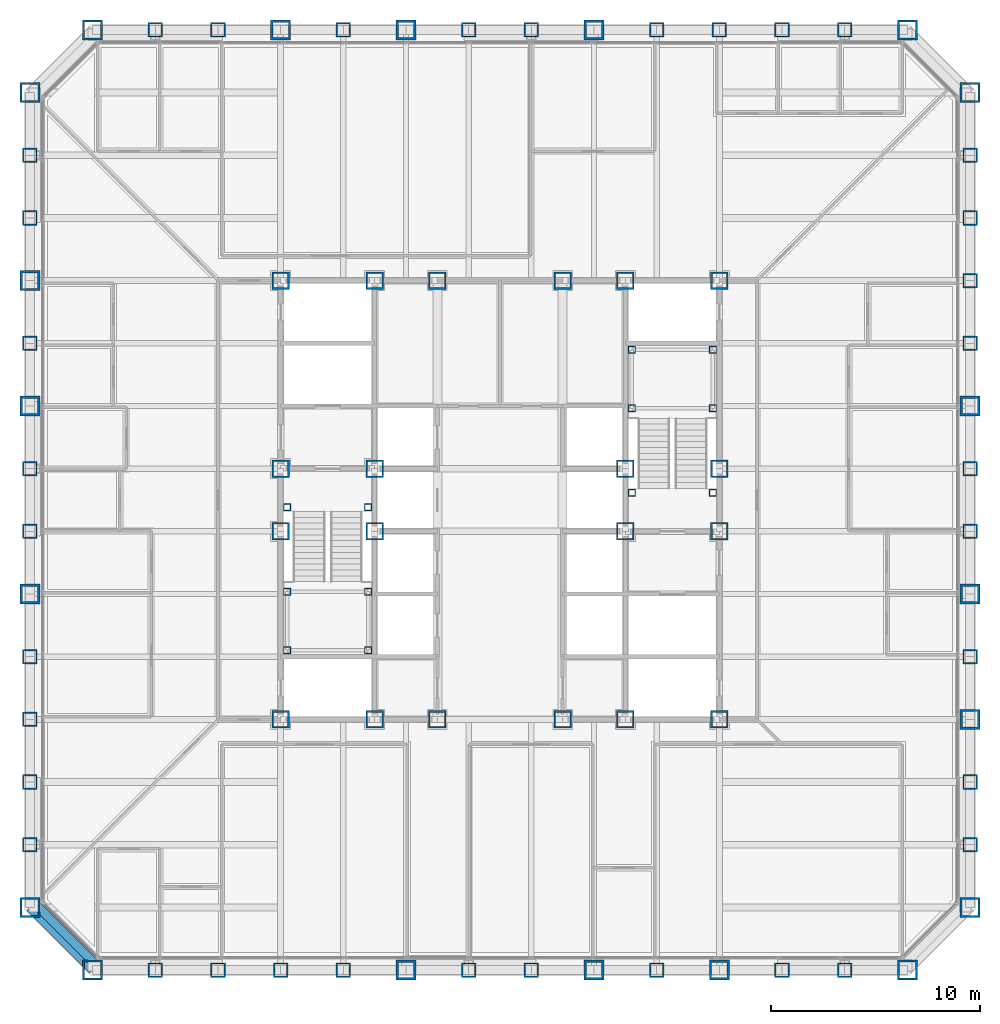
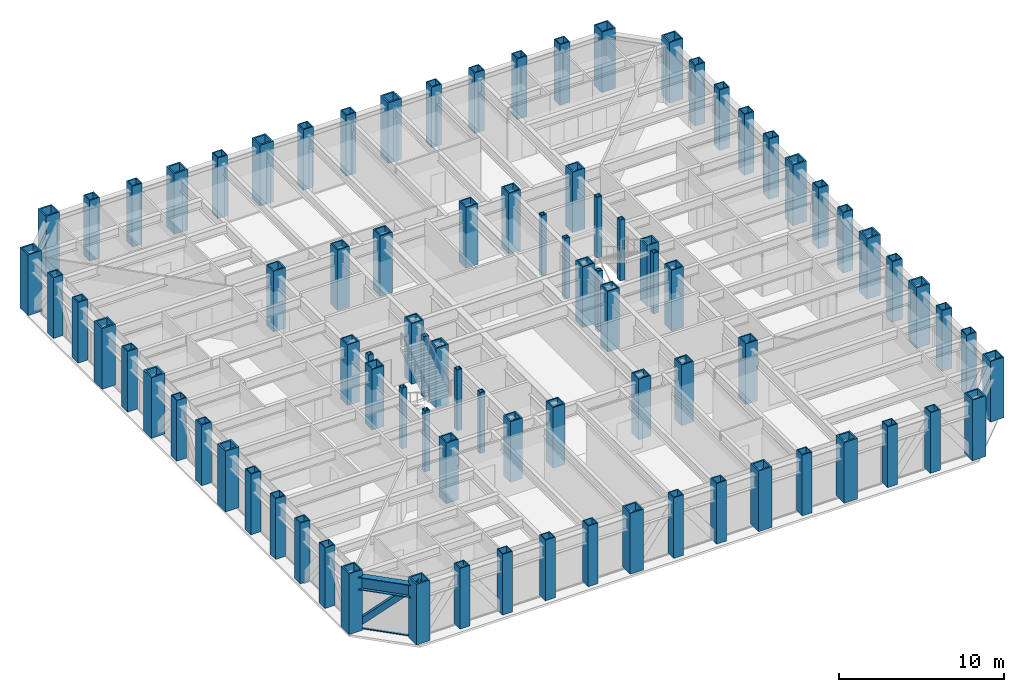
# One storey, part 1 of 17: 88 columns, 2 members, 1 beam, 1 element without a shape of its own.
"""IFC4 building model written with IfcOpenShell, lengths in metres."""

from ifc_helpers import new_model, si_unit, direction, frame, origin, origin_2d, place, context, subcontext, project, spatial, rectangle, hollow_rectangle, i_section, extrude, material, layer, layer_set, material_profile, profile_set, type_object, element, aggregate, save


model = new_model("IFC4")

# Units and contexts
model_context = context("Model", 3, precision=1e-05, world=origin(), true_north=direction((0.0, 1.0)))
body_context = subcontext(model_context, "Body", "Model", "MODEL_VIEW")
ifc_project = project(units=[si_unit("LENGTHUNIT", "METRE"), si_unit("AREAUNIT", "SQUARE_METRE"), si_unit("VOLUMEUNIT", "CUBIC_METRE"), si_unit("PLANEANGLEUNIT", "RADIAN"), si_unit("MASSUNIT", "GRAM", prefix="KILO")], contexts=[model_context])

# Site, building, storey
site_placement = place(None, origin())
site = spatial("IfcSite", under=ifc_project, at=site_placement, CompositionType="ELEMENT")
building_placement = place(site_placement, origin())
building = spatial("IfcBuilding", under=site, at=building_placement, Name="Chuquiago Exchange Tower", CompositionType="ELEMENT")
storey_placement = place(building_placement, frame((0.0, 0.0, 69.300048828125)))
storey = spatial("IfcBuildingStorey", under=building, at=storey_placement, Name="L14", CompositionType="ELEMENT", Elevation=69.300048828125)

# Columns
ifc_material_1 = material(Name="Steel ASTM A572 Grade 50", Category="steel")
ifc_material_profile_1 = material_profile(ifc_material_1, hollow_rectangle(XDim=0.699951171875, YDim=0.699951171875, WallThickness=0.070068359375, at=origin_2d()), Name="BOX700X700X70")
ifc_profile_set_1 = profile_set([ifc_material_profile_1], Name="Steel ASTM A572 Grade 50")
column_type_1 = type_object("IfcColumnType", Name="C2 BOX700X700X70", PredefinedType="COLUMN", material=ifc_profile_set_1)
for number, where, z_axis, x_axis, name in (
    (1, (6.0, 0.0, 0.0), (0.0, 0.0, 1.0), (0.0, -1.0, 0.0), "COL-L14-6_0"),
    (2, (9.0, 0.0, 0.0), (0.0, 0.0, 1.0), (0.0, -1.0, 0.0), "COL-L14-9_0"),
    (3, (12.0, 0.0, 0.0), (0.0, 0.0, 1.0), (0.0, -1.0, 0.0), "COL-L14-12_0"),
    (4, (15.0, 0.0, 0.0), (0.0, 0.0, 1.0), (0.0, -1.0, 0.0), "COL-L14-15_0"),
    (5, (21.0, 0.0, 0.0), (0.0, 0.0, 1.0), (0.0, -1.0, 0.0), "COL-L14-21_0"),
    (6, (24.0, 0.0, 0.0), (0.0, 0.0, 1.0), (0.0, -1.0, 0.0), "COL-L14-24_0"),
    (7, (30.0, 0.0, 0.0), (0.0, 0.0, 1.0), (0.0, -1.0, 0.0), "COL-L14-30_0"),
    (8, (36.0, 0.0, 0.0), (0.0, 0.0, 1.0), (0.0, -1.0, 0.0), "COL-L14-36_0"),
    (9, (39.0, 0.0, 0.0), (0.0, 0.0, 1.0), (0.0, -1.0, 0.0), "COL-L14-39_0"),
    (10, (45.0, 6.0, 0.0), (0.0, 0.0, 1.0), (1.0, 0.0, 0.0), "COL-L14-45_6"),
    (11, (45.0, 9.0, 0.0), (0.0, 0.0, 1.0), (1.0, 0.0, 0.0), "COL-L14-45_9"),
    (12, (45.0, 15.0, 0.0), (0.0, 0.0, 1.0), (1.0, 0.0, 0.0), "COL-L14-45_15"),
    (13, (45.0, 21.0, 0.0), (0.0, 0.0, 1.0), (1.0, 0.0, 0.0), "COL-L14-45_21"),
    (14, (45.0, 24.0, 0.0), (0.0, 0.0, 1.0), (1.0, 0.0, 0.0), "COL-L14-45_24"),
    (15, (45.0, 30.0, 0.0), (0.0, 0.0, 1.0), (1.0, 0.0, 0.0), "COL-L14-45_30"),
    (16, (45.0, 33.0, 0.0), (0.0, 0.0, 1.0), (1.0, 0.0, 0.0), "COL-L14-45_33"),
    (17, (45.0, 36.0, 0.0), (0.0, 0.0, 1.0), (1.0, 0.0, 0.0), "COL-L14-45_36"),
    (18, (45.0, 39.0, 0.0), (0.0, 0.0, 1.0), (1.0, 0.0, 0.0), "COL-L14-45_39"),
    (19, (39.0, 45.0, 0.0), (0.0, 0.0, 1.0), (0.0, 1.0, 0.0), "COL-L14-39_45"),
    (20, (36.0, 45.0, 0.0), (0.0, 0.0, 1.0), (0.0, 1.0, 0.0), "COL-L14-36_45"),
    (21, (33.0, 45.0, 0.0), (0.0, 0.0, 1.0), (0.0, 1.0, 0.0), "COL-L14-33_45"),
    (22, (30.0, 45.0, 0.0), (0.0, 0.0, 1.0), (0.0, 1.0, 0.0), "COL-L14-30_45"),
    (23, (24.0, 45.0, 0.0), (0.0, 0.0, 1.0), (0.0, 1.0, 0.0), "COL-L14-24_45"),
    (24, (21.0, 45.0, 0.0), (0.0, 0.0, 1.0), (0.0, 1.0, 0.0), "COL-L14-21_45"),
    (25, (15.0, 45.0, 0.0), (0.0, 0.0, 1.0), (0.0, 1.0, 0.0), "COL-L14-15_45"),
    (26, (9.0, 45.0, 0.0), (0.0, 0.0, 1.0), (0.0, 1.0, 0.0), "COL-L14-9_45"),
    (27, (6.0, 45.0, 0.0), (0.0, 0.0, 1.0), (0.0, 1.0, 0.0), "COL-L14-6_45"),
    (28, (0.0, 39.0, 0.0), (0.0, 0.0, 1.0), (-1.0, 0.0, 0.0), "COL-L14-0_39"),
    (29, (0.0, 36.0, 0.0), (0.0, 0.0, 1.0), (-1.0, 0.0, 0.0), "COL-L14-0_36"),
    (30, (0.0, 30.0, 0.0), (0.0, 0.0, 1.0), (-1.0, 0.0, 0.0), "COL-L14-0_30"),
    (31, (0.0, 24.0, 0.0), (0.0, 0.0, 1.0), (-1.0, 0.0, 0.0), "COL-L14-0_24"),
    (32, (0.0, 21.0, 0.0), (0.0, 0.0, 1.0), (-1.0, 0.0, 0.0), "COL-L14-0_21"),
    (33, (0.0, 15.0, 0.0), (0.0, 0.0, 1.0), (-1.0, 0.0, 0.0), "COL-L14-0_15"),
    (34, (0.0, 12.0, 0.0), (0.0, 0.0, 1.0), (-1.0, 0.0, 0.0), "COL-L14-0_12"),
    (35, (0.0, 9.0, 0.0), (0.0, 0.0, 1.0), (-1.0, 0.0, 0.0), "COL-L14-0_9"),
    (36, (0.0, 6.0, 0.0), (0.0, 0.0, 1.0), (-1.0, 0.0, 0.0), "COL-L14-0_6"),
):
    element("IfcColumn", number, at=place(storey_placement, frame(where, z_axis=z_axis, x_axis=x_axis)), inside=storey, type_object=column_type_1, Name=name, PredefinedType="COLUMN", context=body_context, shape_type="SweptSolid", body=[
        extrude(hollow_rectangle(XDim=0.699951171875, YDim=0.699951171875, WallThickness=0.070068359375, at=origin_2d()), origin(), (0.0, 0.0, 1.0), 4.5),
    ])
ifc_material_2 = material(Name="Steel ASTM A572 Grade 50", Category="steel")
ifc_material_profile_2 = material_profile(ifc_material_2, hollow_rectangle(XDim=0.85009765625, YDim=0.85009765625, WallThickness=0.0849609375, at=origin_2d()), Name="BOX850X850X85")
ifc_profile_set_2 = profile_set([ifc_material_profile_2], Name="Steel ASTM A572 Grade 50")
column_type_2 = type_object("IfcColumnType", Name="CC2 BOX850X850X85", PredefinedType="COLUMN", material=ifc_profile_set_2)
for number, where, z_axis, x_axis, name in (
    (37, (16.5, 12.0, 0.0), (0.0, 0.0, 1.0), (1.0, 0.0, 0.0), "CCOL-L14-16.5_12"),
    (38, (19.5, 12.0, 0.0), (0.0, 0.0, 1.0), (1.0, 0.0, 0.0), "CCOL-L14-19.5_12"),
    (39, (25.5, 12.0, 0.0), (0.0, 0.0, 1.0), (1.0, 0.0, 0.0), "CCOL-L14-25.5_12"),
    (40, (28.5, 12.0, 0.0), (0.0, 0.0, 1.0), (1.0, 0.0, 0.0), "CCOL-L14-28.5_12"),
    (41, (16.5, 33.0, 0.0), (0.0, 0.0, 1.0), (1.0, 0.0, 0.0), "CCOL-L14-16.5_33"),
    (42, (19.5, 33.0, 0.0), (0.0, 0.0, 1.0), (1.0, 0.0, 0.0), "CCOL-L14-19.5_33"),
    (43, (25.5, 33.0, 0.0), (0.0, 0.0, 1.0), (1.0, 0.0, 0.0), "CCOL-L14-25.5_33"),
    (44, (28.5, 33.0, 0.0), (0.0, 0.0, 1.0), (1.0, 0.0, 0.0), "CCOL-L14-28.5_33"),
    (45, (12.0, 21.0, 0.0), (0.0, 0.0, 1.0), (1.0, 0.0, 0.0), "CCOL-L14-12_21"),
    (46, (12.0, 24.0, 0.0), (0.0, 0.0, 1.0), (1.0, 0.0, 0.0), "CCOL-L14-12_24"),
    (47, (33.0, 21.0, 0.0), (0.0, 0.0, 1.0), (1.0, 0.0, 0.0), "CCOL-L14-33_21"),
    (48, (33.0, 24.0, 0.0), (0.0, 0.0, 1.0), (1.0, 0.0, 0.0), "CCOL-L14-33_24"),
    (49, (16.5, 21.0, 0.0), (0.0, 0.0, 1.0), (1.0, 0.0, 0.0), "CCOL-L14-16.5_21"),
    (50, (16.5, 24.0, 0.0), (0.0, 0.0, 1.0), (1.0, 0.0, 0.0), "CCOL-L14-16.5_24"),
    (51, (28.5, 21.0, 0.0), (0.0, 0.0, 1.0), (1.0, 0.0, 0.0), "CCOL-L14-28.5_21"),
    (52, (28.5, 24.0, 0.0), (0.0, 0.0, 1.0), (1.0, 0.0, 0.0), "CCOL-L14-28.5_24"),
):
    element("IfcColumn", number, at=place(storey_placement, frame(where, z_axis=z_axis, x_axis=x_axis)), inside=storey, type_object=column_type_2, Name=name, PredefinedType="COLUMN", context=body_context, shape_type="SweptSolid", body=[
        extrude(hollow_rectangle(XDim=0.85009765625, YDim=0.85009765625, WallThickness=0.0849609375, at=origin_2d()), origin(), (0.0, 0.0, 1.0), 4.5),
    ])
ifc_material_3 = material(Name="Steel ASTM A572 Grade 50", Category="steel")
ifc_material_profile_3 = material_profile(ifc_material_3, hollow_rectangle(XDim=0.85009765625, YDim=0.85009765625, WallThickness=0.0849609375, at=origin_2d()), Name="BOX850X850X85")
ifc_profile_set_3 = profile_set([ifc_material_profile_3], Name="Steel ASTM A572 Grade 50")
column_type_3 = type_object("IfcColumnType", Name="CC6 BOX850X850X85", PredefinedType="COLUMN", material=ifc_profile_set_3)
for number, where, z_axis, x_axis, name in (
    (53, (12.0, 12.0, 0.0), (0.0, 0.0, 1.0), (1.0, 0.0, 0.0), "CCOL-L14-12_12"),
    (54, (33.0, 12.0, 0.0), (0.0, 0.0, 1.0), (1.0, 0.0, 0.0), "CCOL-L14-33_12"),
    (55, (12.0, 33.0, 0.0), (0.0, 0.0, 1.0), (1.0, 0.0, 0.0), "CCOL-L14-12_33"),
    (56, (33.0, 33.0, 0.0), (0.0, 0.0, 1.0), (1.0, 0.0, 0.0), "CCOL-L14-33_33"),
):
    element("IfcColumn", number, at=place(storey_placement, frame(where, z_axis=z_axis, x_axis=x_axis)), inside=storey, type_object=column_type_3, Name=name, PredefinedType="COLUMN", context=body_context, shape_type="SweptSolid", body=[
        extrude(hollow_rectangle(XDim=0.85009765625, YDim=0.85009765625, WallThickness=0.0849609375, at=origin_2d()), origin(), (0.0, 0.0, 1.0), 4.5),
    ])
ifc_material_4 = material(Name="Steel ASTM A572 Grade 50", Category="steel")
ifc_material_profile_4 = material_profile(ifc_material_4, hollow_rectangle(XDim=0.949951171875, YDim=0.949951171875, WallThickness=0.094970703125, at=origin_2d()), Name="BOX950X950X95")
ifc_profile_set_4 = profile_set([ifc_material_profile_4], Name="Steel ASTM A572 Grade 50")
column_type_4 = type_object("IfcColumnType", Name="CN1 BOX950X950X95", PredefinedType="COLUMN", material=ifc_profile_set_4)
for number, where, z_axis, x_axis, name in (
    (57, (3.0, 0.0, 0.0), (0.0, 0.0, 1.0), (0.0, -1.0, 0.0), "COL-L14-3_0"),
    (58, (42.0, 0.0, 0.0), (0.0, 0.0, 1.0), (0.0, -1.0, 0.0), "COL-L14-42_0"),
    (59, (45.0, 3.0, 0.0), (0.0, 0.0, 1.0), (1.0, 0.0, 0.0), "COL-L14-45_3"),
    (60, (45.0, 42.0, 0.0), (0.0, 0.0, 1.0), (1.0, 0.0, 0.0), "COL-L14-45_42"),
    (61, (42.0, 45.0, 0.0), (0.0, 0.0, 1.0), (0.0, 1.0, 0.0), "COL-L14-42_45"),
    (62, (3.0, 45.0, 0.0), (0.0, 0.0, 1.0), (0.0, 1.0, 0.0), "COL-L14-3_45"),
    (63, (0.0, 42.0, 0.0), (0.0, 0.0, 1.0), (-1.0, 0.0, 0.0), "COL-L14-0_42"),
    (64, (0.0, 3.0, 0.0), (0.0, 0.0, 1.0), (-1.0, 0.0, 0.0), "COL-L14-0_3"),
):
    element("IfcColumn", number, at=place(storey_placement, frame(where, z_axis=z_axis, x_axis=x_axis)), inside=storey, type_object=column_type_4, Name=name, PredefinedType="COLUMN", context=body_context, shape_type="SweptSolid", body=[
        extrude(hollow_rectangle(XDim=0.949951171875, YDim=0.949951171875, WallThickness=0.094970703125, at=origin_2d()), origin(), (0.0, 0.0, 1.0), 4.5),
    ])
ifc_material_5 = material(Name="Steel ASTM A572 Grade 42", Category="steel")
ifc_material_profile_5 = material_profile(ifc_material_5, hollow_rectangle(XDim=0.949951171875, YDim=0.949951171875, WallThickness=0.110107421875, at=origin_2d()), Name="BOX950X950X110")
ifc_profile_set_5 = profile_set([ifc_material_profile_5], Name="Steel ASTM A572 Grade 42")
column_type_5 = type_object("IfcColumnType", Name="CT1 BOX950X950X110", PredefinedType="COLUMN", material=ifc_profile_set_5)
for number, where, z_axis, x_axis, name in (
    (65, (18.0, 0.0, 0.0), (0.0, 0.0, 1.0), (0.0, -1.0, 0.0), "COL-L14-18_0"),
    (66, (27.0, 0.0, 0.0), (0.0, 0.0, 1.0), (0.0, -1.0, 0.0), "COL-L14-27_0"),
    (67, (33.0, 0.0, 0.0), (0.0, 0.0, 1.0), (0.0, -1.0, 0.0), "COL-L14-33_0"),
    (68, (45.0, 12.0, 0.0), (0.0, 0.0, 1.0), (1.0, 0.0, 0.0), "COL-L14-45_12"),
    (69, (45.0, 18.0, 0.0), (0.0, 0.0, 1.0), (1.0, 0.0, 0.0), "COL-L14-45_18"),
    (70, (45.0, 27.0, 0.0), (0.0, 0.0, 1.0), (1.0, 0.0, 0.0), "COL-L14-45_27"),
    (71, (27.0, 45.0, 0.0), (0.0, 0.0, 1.0), (0.0, 1.0, 0.0), "COL-L14-27_45"),
    (72, (18.0, 45.0, 0.0), (0.0, 0.0, 1.0), (0.0, 1.0, 0.0), "COL-L14-18_45"),
    (73, (12.0, 45.0, 0.0), (0.0, 0.0, 1.0), (0.0, 1.0, 0.0), "COL-L14-12_45"),
    (74, (0.0, 33.0, 0.0), (0.0, 0.0, 1.0), (-1.0, 0.0, 0.0), "COL-L14-0_33"),
    (75, (0.0, 27.0, 0.0), (0.0, 0.0, 1.0), (-1.0, 0.0, 0.0), "COL-L14-0_27"),
    (76, (0.0, 18.0, 0.0), (0.0, 0.0, 1.0), (-1.0, 0.0, 0.0), "COL-L14-0_18"),
):
    element("IfcColumn", number, at=place(storey_placement, frame(where, z_axis=z_axis, x_axis=x_axis)), inside=storey, type_object=column_type_5, Name=name, PredefinedType="COLUMN", context=body_context, shape_type="SweptSolid", body=[
        extrude(hollow_rectangle(XDim=0.949951171875, YDim=0.949951171875, WallThickness=0.110107421875, at=origin_2d()), origin(), (0.0, 0.0, 1.0), 4.5),
    ])
ifc_material_6 = material(Name="Steel ASTM A572 Grade 50", Category="steel")
ifc_material_profile_6 = material_profile(ifc_material_6, hollow_rectangle(XDim=0.35009765625, YDim=0.35009765625, WallThickness=0.034912109375, at=origin_2d()), Name="BOX350X350X35")
ifc_profile_set_6 = profile_set([ifc_material_profile_6], Name="Steel ASTM A572 Grade 50")
column_type_6 = type_object("IfcColumnType", Name="PT3 BOX350X350X35", PredefinedType="COLUMN", material=ifc_profile_set_6)
for number, where, z_axis, x_axis, name in (
    (77, (12.31005859375, 15.31005859375, 0.0), (0.0, 0.0, 1.0), (1.0, 0.0, 0.0), "Stair ST1 L14 landing post"),
    (78, (16.18994140625, 15.31005859375, 0.0), (0.0, 0.0, 1.0), (1.0, 0.0, 0.0), "Stair ST1 L14 landing post"),
    (79, (12.31005859375, 18.110107421875, 0.0), (0.0, 0.0, 1.0), (1.0, 0.0, 0.0), "Stair ST1 L14 landing post"),
    (80, (16.18994140625, 18.110107421875, 0.0), (0.0, 0.0, 1.0), (1.0, 0.0, 0.0), "Stair ST1 L14 landing post"),
    (81, (12.31005859375, 22.14990234375, 0.0), (0.0, 0.0, 1.0), (1.0, 0.0, 0.0), "Stair ST1 L14 landing post"),
    (82, (16.18994140625, 22.14990234375, 0.0), (0.0, 0.0, 1.0), (1.0, 0.0, 0.0), "Stair ST1 L14 landing post"),
    (83, (28.81005859375, 29.68994140625, 0.0), (0.0, 0.0, 1.0), (1.0, 0.0, 0.0), "Stair ST2 L14 landing post"),
    (84, (32.68994140625, 29.68994140625, 0.0), (0.0, 0.0, 1.0), (1.0, 0.0, 0.0), "Stair ST2 L14 landing post"),
    (85, (28.81005859375, 26.889892578125, 0.0), (0.0, 0.0, 1.0), (1.0, 0.0, 0.0), "Stair ST2 L14 landing post"),
    (86, (32.68994140625, 26.889892578125, 0.0), (0.0, 0.0, 1.0), (1.0, 0.0, 0.0), "Stair ST2 L14 landing post"),
    (87, (28.81005859375, 22.85009765625, 0.0), (0.0, 0.0, 1.0), (1.0, 0.0, 0.0), "Stair ST2 L14 landing post"),
    (88, (32.68994140625, 22.85009765625, 0.0), (0.0, 0.0, 1.0), (1.0, 0.0, 0.0), "Stair ST2 L14 landing post"),
):
    element("IfcColumn", number, at=place(storey_placement, frame(where, z_axis=z_axis, x_axis=x_axis)), inside=storey, type_object=column_type_6, Name=name, PredefinedType="COLUMN", context=body_context, shape_type="SweptSolid", body=[
        extrude(hollow_rectangle(XDim=0.35009765625, YDim=0.35009765625, WallThickness=0.034912109375, at=origin_2d()), origin(), (0.0, 0.0, 1.0), 4.5),
    ])

# Curtain wall, member
ifc_material_7 = material(Name="Aluminium curtain wall system", Category="aluminium")
ifc_layer = layer(ifc_material_7, 0.199951171875)
ifc_layer_set = layer_set([ifc_layer], Name="CW3 facet curtain wall")
curtain_wall_type = type_object("IfcCurtainWallType", Name="CW3 facet curtain wall", PredefinedType="NOTDEFINED", material=ifc_layer_set)
curtain_wall_placement = place(storey_placement, origin())
curtain_wall = element("IfcCurtainWall", 89, at=curtain_wall_placement, inside=storey, type_object=curtain_wall_type, Name="CW3 curtain wall L14", PredefinedType="NOTDEFINED")
ifc_material_8 = material(Name="Aluminium transom, pale anodised", Category="aluminium")
ifc_material_profile_7 = material_profile(ifc_material_8, rectangle(XDim=0.139892578125, YDim=0.06494140625, at=origin_2d()), Name="AL 140x65")
ifc_profile_set_7 = profile_set([ifc_material_profile_7], Name="Aluminium transom, pale anodised")
member_type_1 = type_object("IfcMemberType", Name="CW3-T transom 65x140", PredefinedType="MULLION", material=ifc_profile_set_7)
member_1_placement = place(storey_placement, frame((0.64599609375, 3.20263671875, -0.267578125), z_axis=(0.707106781187, -0.707106781187, 0.0), x_axis=(0.707106781187, 0.707106781187, 0.0)))
member_1 = element("IfcMember", 90, at=member_1_placement, type_object=member_type_1, Name="CW3 transom 1.1", PredefinedType="MULLION", context=body_context, shape_type="SweptSolid", body=[
    extrude(rectangle(XDim=0.139892578125, YDim=0.06494140625, at=origin_2d()), origin(), (0.0, 0.0, 1.0), 3.61572265625),
])
aggregate(curtain_wall, [member_1])

# Member
ifc_material_9 = material(Name="Steel ASTM A500 Grade C", Category="steel")
ifc_material_profile_8 = material_profile(ifc_material_9, hollow_rectangle(XDim=0.406494140625, YDim=0.406494140625, WallThickness=0.0146484375, at=origin_2d()), Name="HSS16X16X5/8")
ifc_profile_set_8 = profile_set([ifc_material_profile_8], Name="Steel ASTM A500 Grade C")
member_type_2 = type_object("IfcMemberType", Name="LB4 HSS16X16X5/8", PredefinedType="BRACE", material=ifc_profile_set_8)
member_2_placement = place(storey_placement, frame((0.21337890625, 3.21337890625, 0.0), z_axis=(0.512077265487, -0.512077265487, 0.689604051861), x_axis=(0.707106781187, 0.707106781187, 0.0)))
element("IfcMember", 91, at=member_2_placement, inside=storey, type_object=member_type_2, Name="LB-L14-0_3-3_0", PredefinedType="BRACE", context=body_context, shape_type="SweptSolid", body=[
    extrude(hollow_rectangle(XDim=0.406494140625, YDim=0.406494140625, WallThickness=0.0146484375, at=origin_2d()), origin(), (0.0, 0.0, 1.0), 5.8583984375),
])

# Beam
ifc_material_10 = material(Name="Steel ASTM A992", Category="steel")
ifc_material_profile_9 = material_profile(ifc_material_10, i_section(OverallWidth=0.424072265625, OverallDepth=0.947509765625, WebThickness=0.02392578125, FlangeThickness=0.042724609375, at=origin_2d()), Name="W36X302")
ifc_profile_set_9 = profile_set([ifc_material_profile_9], Name="Steel ASTM A992")
beam_type = type_object("IfcBeamType", Name="SP1 W36X302", PredefinedType="SPANDREL", material=ifc_profile_set_9)
beam_placement = place(storey_placement, frame((0.0, 3.0, 3.566162109375), z_axis=(0.707106781187, -0.707106781187, 0.0), x_axis=(0.707106781187, 0.707106781187, 0.0)))
element("IfcBeam", 92, at=beam_placement, inside=storey, type_object=beam_type, Name="SPB-L15-0_3-3_0", PredefinedType="SPANDREL", context=body_context, shape_type="SweptSolid", body=[
    extrude(i_section(OverallWidth=0.424072265625, OverallDepth=0.947509765625, WebThickness=0.02392578125, FlangeThickness=0.042724609375, at=origin_2d()), origin(), (0.0, 0.0, 1.0), 4.24267578125),
])

save(model, "model.ifc")
